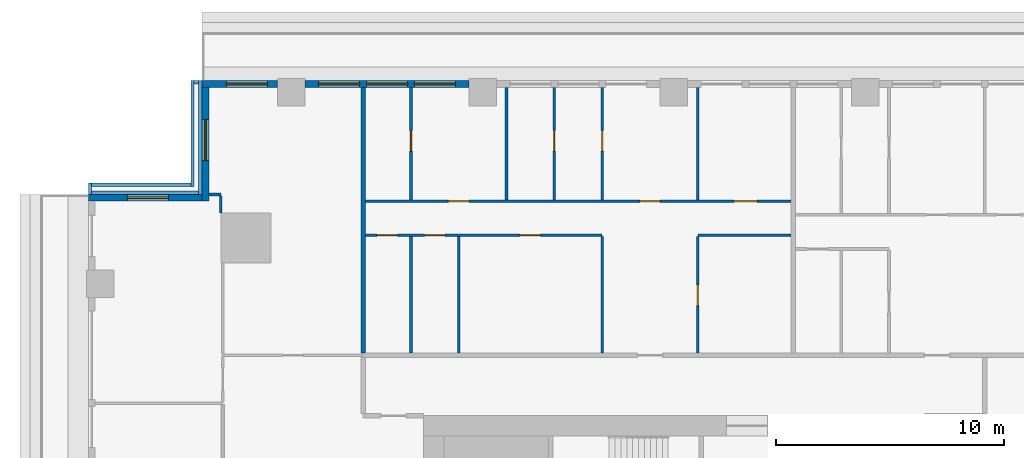
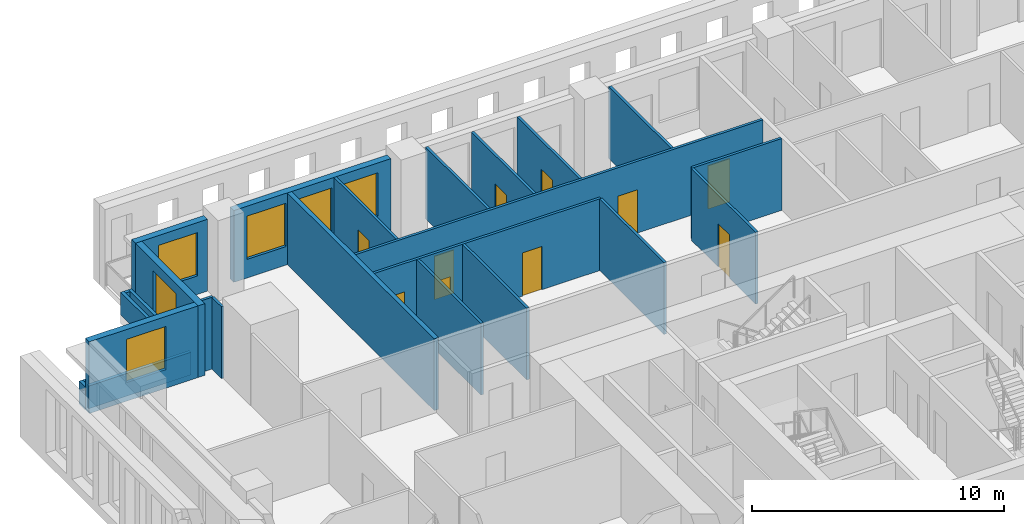
# One storey, part 8 of 16: 25 walls, 10 doors, 6 windows, 16 openings.
"""IFC4 building model written with IfcOpenShell, lengths in metres."""

import ifcopenshell
import ifcopenshell.guid

model = None  # the IFC model being written
_history = None  # IfcOwnerHistory: only IFC2X3 demands one
_inside = {}  # id of a spatial element -> (the spatial element, [elements in it])
_under = {}  # id of a project, library or spatial element -> (it, [spatial elements below it])
_declared = {}  # id of a project -> (the project, [libraries it declares])
_typed = {}  # id of a type object -> (the type object, [elements of that type])
_made_of = {}  # id of a material, layer set ... -> (it, [elements and type objects made of it])


def new_model(schema):
    """Start an empty IFC model of exactly this schema.

    Asked for "IFC4X3", IfcOpenShell would pick the latest addendum, in which some entities
    have other attributes; the version numbers below select the first issue.
    IFC2X3 requires an IfcOwnerHistory on every rooted entity: one is made here for all.
    """
    global model, _history
    if schema == "IFC4X3":
        model = ifcopenshell.file(schema_version=(4, 3, 0, 0))
    else:
        model = ifcopenshell.file(schema=schema)
    _inside.clear()
    _under.clear()
    _declared.clear()
    _typed.clear()
    _made_of.clear()
    _history = None
    if model.schema == "IFC2X3":
        org = make("IfcOrganization", Name="unknown")
        user = make(
            "IfcPersonAndOrganization",
            ThePerson=make("IfcPerson", FamilyName="unknown"),
            TheOrganization=org,
        )
        app = make(
            "IfcApplication",
            ApplicationDeveloper=org,
            Version="unknown",
            ApplicationFullName="unknown",
            ApplicationIdentifier="unknown",
        )
        _history = make(
            "IfcOwnerHistory",
            OwningUser=user,
            OwningApplication=app,
            ChangeAction="ADDED",
            CreationDate=0,
        )
    return model


def make(cls, **values):
    """One entity of the class cls with the attributes given. An attribute that is None is left unset."""
    return model.create_entity(
        cls, **{name: value for name, value in values.items() if value is not None}
    )


def rooted(cls, **values):
    """An entity with a GlobalId (a new one), such as an element, a storey or a relation."""
    return make(cls, GlobalId=ifcopenshell.guid.new(), OwnerHistory=_history, **values)


def si_unit(unit_type, name, prefix=None):
    """IfcSIUnit, for example si_unit("LENGTHUNIT", "METRE", prefix="MILLI")."""
    return make("IfcSIUnit", UnitType=unit_type, Prefix=prefix, Name=name)


def assignment(units):
    """IfcUnitAssignment: the units of a project."""
    return None if units is None else make("IfcUnitAssignment", Units=units)


def point(xyz):
    """IfcCartesianPoint."""
    return None if xyz is None else make("IfcCartesianPoint", Coordinates=xyz)


def direction(xyz):
    """IfcDirection."""
    return None if xyz is None else make("IfcDirection", DirectionRatios=xyz)


def frame(location, z_axis=None, x_axis=None):
    """IfcAxis2Placement3D, a coordinate frame: its origin and axes. An axis left out is left unset."""
    return make(
        "IfcAxis2Placement3D",
        Location=point(location),
        Axis=direction(z_axis),
        RefDirection=direction(x_axis),
    )


def frame_2d(location, x_axis=None):
    """IfcAxis2Placement2D, a coordinate frame in the plane: its origin and x axis."""
    return make(
        "IfcAxis2Placement2D", Location=point(location), RefDirection=direction(x_axis)
    )


def origin():
    """The frame at (0, 0, 0) with its axes left unset."""
    return frame((0.0, 0.0, 0.0))


def place(relative_to, where):
    """IfcLocalPlacement: puts the frame where relative to a parent placement (None: the world)."""
    return make(
        "IfcLocalPlacement", PlacementRelTo=relative_to, RelativePlacement=where
    )


def context(
    kind, dimensions, precision=None, world=None, true_north=None, identifier=None
):
    """IfcGeometricRepresentationContext, for example the 3D "Model" context."""
    return make(
        "IfcGeometricRepresentationContext",
        ContextIdentifier=identifier,
        ContextType=kind,
        CoordinateSpaceDimension=dimensions,
        Precision=precision,
        WorldCoordinateSystem=world,
        TrueNorth=true_north,
    )


def subcontext(parent, identifier, kind, view, scale=None):
    """IfcGeometricRepresentationSubContext, for example "Body" below "Model"."""
    return make(
        "IfcGeometricRepresentationSubContext",
        ContextIdentifier=identifier,
        ContextType=kind,
        ParentContext=parent,
        TargetScale=scale,
        TargetView=view,
    )


def project(units=None, contexts=None):
    """IfcProject with its units and contexts."""
    return rooted(
        "IfcProject",
        Name="project",
        RepresentationContexts=contexts,
        UnitsInContext=assignment(units),
    )


def spatial(cls, under=None, at=None, **own):
    """A site, building, storey or space (cls), placed at a placement, below another one or the project."""
    s = rooted(cls, ObjectPlacement=at, **own)
    if under is not None:
        _under.setdefault(under.id(), (under, []))[1].append(s)
    return s


def profile(cls, at=None, kind="AREA", **sizes):
    """A parametric profile (cls). Its sizes go by their IFC names, for example OverallWidth=200.0."""
    return make(cls, ProfileType=kind, Position=at, **sizes)


def rectangle(**sizes):
    """IfcRectangleProfileDef."""
    return profile("IfcRectangleProfileDef", **sizes)


def extrude(swept, where, along, depth):
    """IfcExtrudedAreaSolid: the profile swept, set in the frame where, extruded along a direction by depth."""
    return make(
        "IfcExtrudedAreaSolid",
        SweptArea=swept,
        Position=where,
        ExtrudedDirection=direction(along),
        Depth=depth,
    )


def shape(context_of_items, identifier, shape_type, items):
    """IfcShapeRepresentation: the items that make up one representation, for example the "Body"."""
    return make(
        "IfcShapeRepresentation",
        ContextOfItems=context_of_items,
        RepresentationIdentifier=identifier,
        RepresentationType=shape_type,
        Items=items,
    )


def material(Name=None, Category=None):
    """IfcMaterial."""
    return make("IfcMaterial", Name=Name, Category=Category)


def layer(
    of_material, thickness, ventilated=None, Name=None, Category=None, Priority=None
):
    """IfcMaterialLayer: one layer of a wall or slab, of a material (None: an air gap)."""
    return make(
        "IfcMaterialLayer",
        Material=of_material,
        LayerThickness=thickness,
        IsVentilated=ventilated,
        Name=Name,
        Category=Category,
        Priority=Priority,
    )


def layer_set(layers, Name=None):
    """IfcMaterialLayerSet."""
    return make("IfcMaterialLayerSet", MaterialLayers=layers, LayerSetName=Name)


def made_of(thing, what):
    """Note that an element or type object is made of a material, layer set ...; save() writes the relation."""
    if what is not None:
        _made_of.setdefault(what.id(), (what, []))[1].append(thing)
    return thing


def type_object(cls, material=None, **own):
    """A type object (cls), such as IfcWallType, which elements share."""
    return made_of(rooted(cls, **own), material)


def element(
    cls,
    number,
    at=None,
    inside=None,
    cuts=None,
    type_object=None,
    material=None,
    context=None,
    identifier="Body",
    shape_type=None,
    held_by="IfcProductDefinitionShape",
    body=None,
    shapes=None,
    **own,
):
    """One element of the class cls, such as IfcWall. Its Tag is "e" and its number.

    at: its placement. inside: the storey or other place that contains it. cuts: it is an
    opening in that element (IfcRelVoidsElement). A single representation is given by context,
    identifier, shape_type and body (its items); several are given by shapes. held_by: the class
    of the entity that holds the representations. save() writes the other relations.
    """
    e = rooted(cls, Tag="e%d" % number, ObjectPlacement=at, **own)
    if body is not None:
        shapes = [shape(context, identifier, shape_type, body)]
    if shapes is not None:
        e.Representation = make(held_by, Representations=shapes)
    if inside is not None:
        _inside.setdefault(inside.id(), (inside, []))[1].append(e)
    if cuts is not None:
        rooted(
            "IfcRelVoidsElement", RelatingBuildingElement=cuts, RelatedOpeningElement=e
        )
    if type_object is not None:
        _typed.setdefault(type_object.id(), (type_object, []))[1].append(e)
    return made_of(e, material)


def fill(opening, filler):
    """IfcRelFillsElement: the door or window that sits in an opening."""
    return rooted(
        "IfcRelFillsElement",
        RelatingOpeningElement=opening,
        RelatedBuildingElement=filler,
    )


def aggregate(whole, parts):
    """IfcRelAggregates: a whole, such as a stair, and the parts it consists of."""
    return rooted("IfcRelAggregates", RelatingObject=whole, RelatedObjects=parts)


def save(model, path):
    """Write the relations noted so far, then the file.

    IfcRelAggregates (storeys below a building ...), IfcRelContainedInSpatialStructure (elements
    in a storey), IfcRelDefinesByType, IfcRelAssociatesMaterial and IfcRelDeclares: one each for
    every whole, place, type object, material and project.
    """
    for whole, parts in _under.values():
        aggregate(whole, parts)
    for where, things in _inside.values():
        rooted(
            "IfcRelContainedInSpatialStructure",
            RelatedElements=things,
            RelatingStructure=where,
        )
    for kind, things in _typed.values():
        rooted("IfcRelDefinesByType", RelatedObjects=things, RelatingType=kind)
    for what, things in _made_of.values():
        rooted("IfcRelAssociatesMaterial", RelatedObjects=things, RelatingMaterial=what)
    for by, libraries in _declared.values():
        rooted("IfcRelDeclares", RelatingContext=by, RelatedDefinitions=libraries)
    model.write(path)


model = new_model("IFC4")

# Units and contexts
model_context = context("Model", 3, precision=1e-05, world=origin(), true_north=direction((0.0, 1.0)))
body_context = subcontext(model_context, "Body", "Model", "MODEL_VIEW")
ifc_project = project(units=[si_unit("LENGTHUNIT", "METRE"), si_unit("AREAUNIT", "SQUARE_METRE"), si_unit("VOLUMEUNIT", "CUBIC_METRE"), si_unit("PLANEANGLEUNIT", "RADIAN"), si_unit("MASSUNIT", "GRAM", prefix="KILO")], contexts=[model_context])

# Site, building, storey
site_placement = place(None, origin())
site = spatial("IfcSite", under=ifc_project, at=site_placement, CompositionType="ELEMENT")
building_placement = place(site_placement, origin())
building = spatial("IfcBuilding", under=site, at=building_placement, Name="Khepri Terraces", CompositionType="ELEMENT")
storey_placement = place(building_placement, frame((0.0, 0.0, 240.60009765625)))
storey = spatial("IfcBuildingStorey", under=building, at=storey_placement, Name="L57", CompositionType="ELEMENT", Elevation=240.60009765625)

# Wall
ifc_material_1 = material(Name="Fire-rated gypsum plasterboard partition, mineral wool")
ifc_layer_1 = layer(ifc_material_1, 0.199951171875, Name="Fire-rated gypsum plasterboard partition, mineral wool")
ifc_layer_set_1 = layer_set([ifc_layer_1], Name="Fire-rated gypsum plasterboard partition, mineral wool")
wall_type_1 = type_object("IfcWallType", Name="WL-CORR-200", PredefinedType="PARTITIONING", material=ifc_layer_set_1)
wall_1_placement = place(storey_placement, frame((-13.64990234375, 13.75, 0.0), z_axis=(0.0, 0.0, 1.0), x_axis=(0.0, 1.0, 0.0)))
element("IfcWall", 1, at=wall_1_placement, inside=storey, type_object=wall_type_1, Name="Partition P-085 L57", PredefinedType="PARTITIONING", context=body_context, shape_type="SweptSolid", body=[
    extrude(rectangle(XDim=11.669921875, YDim=0.199951171875, at=frame_2d((5.8349609375, 0.0))), origin(), (0.0, 0.0, 1.0), 3.47998046875),
])

# Wall, openings, windows
ifc_material_2 = material(Name="Precast concrete C50/60 warm stone", Category="masonry")
ifc_layer_2 = layer(ifc_material_2, 0.300048828125, Name="Precast concrete C50/60 warm stone", Category="masonry")
ifc_layer_set_2 = layer_set([ifc_layer_2], Name="Precast concrete C50/60 warm stone")
wall_type_2 = type_object("IfcWallType", Name="WL-EXT-PRECAST-300", PredefinedType="STANDARD", material=ifc_layer_set_2)
wall_2_placement = place(storey_placement, frame((-9.0, 25.570068359375, 0.0), z_axis=(0.0, 0.0, 1.0), x_axis=(-1.0, 0.0, 0.0)))
wall_2 = element("IfcWall", 2, at=wall_2_placement, inside=storey, type_object=wall_type_2, Name="External wall L57 N", PredefinedType="STANDARD", context=body_context, shape_type="SweptSolid", body=[
    extrude(rectangle(XDim=7.199951171875, YDim=0.300048828125, at=frame_2d((3.60009765625, 0.0))), origin(), (0.0, 0.0, 1.0), 3.47998046875),
])
opening_1_placement = place(wall_2_placement, frame((0.60009765625, 0.0, 0.89990234375)))
opening_1 = element("IfcOpeningElement", 3, at=opening_1_placement, cuts=wall_2, Name="Opening W1", PredefinedType="OPENING", context=body_context, shape_type="SweptSolid", body=[
    extrude(rectangle(XDim=1.800048828125, YDim=2.10009765625, at=frame_2d((0.89990234375, 1.050048828125))), frame((0.0, 0.16015625, 0.0), z_axis=(0.0, -1.0, 0.0), x_axis=(1.0, 0.0, 0.0)), (0.0, 0.0, 1.0), 0.320068359375),
])
opening_2_placement = place(wall_2_placement, frame((2.699951171875, 0.0, 0.89990234375)))
opening_2 = element("IfcOpeningElement", 4, at=opening_2_placement, cuts=wall_2, Name="Opening W1", PredefinedType="OPENING", context=body_context, shape_type="SweptSolid", body=[
    extrude(rectangle(XDim=1.800048828125, YDim=2.10009765625, at=frame_2d((0.89990234375, 1.050048828125))), frame((0.0, 0.16015625, 0.0), z_axis=(0.0, -1.0, 0.0), x_axis=(1.0, 0.0, 0.0)), (0.0, 0.0, 1.0), 0.320068359375),
])
opening_3_placement = place(wall_2_placement, frame((4.800048828125, 0.0, 0.89990234375)))
opening_3 = element("IfcOpeningElement", 5, at=opening_3_placement, cuts=wall_2, Name="Opening W1", PredefinedType="OPENING", context=body_context, shape_type="SweptSolid", body=[
    extrude(rectangle(XDim=1.800048828125, YDim=2.10009765625, at=frame_2d((0.89990234375, 1.050048828125))), frame((0.0, 0.16015625, 0.0), z_axis=(0.0, -1.0, 0.0), x_axis=(1.0, 0.0, 0.0)), (0.0, 0.0, 1.0), 0.320068359375),
])
ifc_material_3 = material(Name="Clear glass", Category="glass")
window_type = type_object("IfcWindowType", Name="WIN-RES-1800x2100", PartitioningType="SINGLE_PANEL", PredefinedType="WINDOW", material=ifc_material_3)
window_1_placement = place(opening_1_placement, origin())
window_1 = element("IfcWindow", 6, at=window_1_placement, inside=storey, type_object=window_type, Name="Window L57 N", OverallHeight=2.10009765625, OverallWidth=1.800048828125, PartitioningType="SINGLE_PANEL", PredefinedType="WINDOW", context=body_context, shape_type="SweptSolid", body=[
    extrude(rectangle(XDim=1.800048828125, YDim=2.10009765625, at=frame_2d((0.89990234375, 1.050048828125))), frame((0.0, 0.030029296875, 0.0), z_axis=(0.0, -1.0, 0.0), x_axis=(1.0, 0.0, 0.0)), (0.0, 0.0, 1.0), 0.06005859375),
])
fill(opening_1, window_1)
window_2_placement = place(opening_2_placement, origin())
window_2 = element("IfcWindow", 7, at=window_2_placement, inside=storey, type_object=window_type, Name="Window L57 N", OverallHeight=2.10009765625, OverallWidth=1.800048828125, PartitioningType="SINGLE_PANEL", PredefinedType="WINDOW", context=body_context, shape_type="SweptSolid", body=[
    extrude(rectangle(XDim=1.800048828125, YDim=2.10009765625, at=frame_2d((0.89990234375, 1.050048828125))), frame((0.0, 0.030029296875, 0.0), z_axis=(0.0, -1.0, 0.0), x_axis=(1.0, 0.0, 0.0)), (0.0, 0.0, 1.0), 0.06005859375),
])
fill(opening_2, window_2)
window_3_placement = place(opening_3_placement, origin())
window_3 = element("IfcWindow", 8, at=window_3_placement, inside=storey, type_object=window_type, Name="Window L57 N", OverallHeight=2.10009765625, OverallWidth=1.800048828125, PartitioningType="SINGLE_PANEL", PredefinedType="WINDOW", context=body_context, shape_type="SweptSolid", body=[
    extrude(rectangle(XDim=1.800048828125, YDim=2.10009765625, at=frame_2d((0.89990234375, 1.050048828125))), frame((0.0, 0.030029296875, 0.0), z_axis=(0.0, -1.0, 0.0), x_axis=(1.0, 0.0, 0.0)), (0.0, 0.0, 1.0), 0.06005859375),
])
fill(opening_3, window_3)

# Wall, opening, window
wall_3_placement = place(storey_placement, frame((-17.39990234375, 25.570068359375, 0.0), z_axis=(0.0, 0.0, 1.0), x_axis=(-1.0, 0.0, 0.0)))
wall_3 = element("IfcWall", 9, at=wall_3_placement, inside=storey, type_object=wall_type_2, Name="External wall L57 N", PredefinedType="STANDARD", context=body_context, shape_type="SweptSolid", body=[
    extrude(rectangle(XDim=3.320068359375, YDim=0.300048828125, at=frame_2d((1.66015625, 0.0))), origin(), (0.0, 0.0, 1.0), 3.47998046875),
])
opening_4_placement = place(wall_3_placement, frame((0.45947265625, 0.0, 0.89990234375)))
opening_4 = element("IfcOpeningElement", 10, at=opening_4_placement, cuts=wall_3, Name="Opening W1", PredefinedType="OPENING", context=body_context, shape_type="SweptSolid", body=[
    extrude(rectangle(XDim=1.800048828125, YDim=2.10009765625, at=frame_2d((0.89990234375, 1.050048828125))), frame((0.0, 0.16015625, 0.0), z_axis=(0.0, -1.0, 0.0), x_axis=(1.0, 0.0, 0.0)), (0.0, 0.0, 1.0), 0.320068359375),
])
window_4_placement = place(opening_4_placement, origin())
window_4 = element("IfcWindow", 11, at=window_4_placement, inside=storey, type_object=window_type, Name="Window L57 N", OverallHeight=2.10009765625, OverallWidth=1.800048828125, PartitioningType="SINGLE_PANEL", PredefinedType="WINDOW", context=body_context, shape_type="SweptSolid", body=[
    extrude(rectangle(XDim=1.800048828125, YDim=2.10009765625, at=frame_2d((0.89990234375, 1.050048828125))), frame((0.0, 0.030029296875, 0.0), z_axis=(0.0, -1.0, 0.0), x_axis=(1.0, 0.0, 0.0)), (0.0, 0.0, 1.0), 0.06005859375),
])
fill(opening_4, window_4)

wall_4_placement = place(storey_placement, frame((-20.570068359375, 25.419921875, 0.0), z_axis=(0.0, 0.0, 1.0), x_axis=(0.0, -1.0, 0.0)))
wall_4 = element("IfcWall", 12, at=wall_4_placement, inside=storey, type_object=wall_type_2, Name="External wall L57 W", PredefinedType="STANDARD", context=body_context, shape_type="SweptSolid", body=[
    extrude(rectangle(XDim=5.0, YDim=0.300048828125, at=frame_2d((2.5, 0.0))), origin(), (0.0, 0.0, 1.0), 3.47998046875),
])
opening_5_placement = place(wall_4_placement, frame((1.419921875, 0.0, 0.89990234375)))
opening_5 = element("IfcOpeningElement", 13, at=opening_5_placement, cuts=wall_4, Name="Opening W1", PredefinedType="OPENING", context=body_context, shape_type="SweptSolid", body=[
    extrude(rectangle(XDim=1.800048828125, YDim=2.10009765625, at=frame_2d((0.89990234375, 1.050048828125))), frame((0.0, 0.16015625, 0.0), z_axis=(0.0, -1.0, 0.0), x_axis=(1.0, 0.0, 0.0)), (0.0, 0.0, 1.0), 0.320068359375),
])
window_5_placement = place(opening_5_placement, origin())
window_5 = element("IfcWindow", 14, at=window_5_placement, inside=storey, type_object=window_type, Name="Window L57 W", OverallHeight=2.10009765625, OverallWidth=1.800048828125, PartitioningType="SINGLE_PANEL", PredefinedType="WINDOW", context=body_context, shape_type="SweptSolid", body=[
    extrude(rectangle(XDim=1.800048828125, YDim=2.10009765625, at=frame_2d((0.89990234375, 1.050048828125))), frame((0.0, 0.030029296875, 0.0), z_axis=(0.0, -1.0, 0.0), x_axis=(1.0, 0.0, 0.0)), (0.0, 0.0, 1.0), 0.06005859375),
])
fill(opening_5, window_5)

wall_5_placement = place(storey_placement, frame((-20.719970703125, 20.570068359375, 0.0), z_axis=(0.0, 0.0, 1.0), x_axis=(-1.0, 0.0, 0.0)))
wall_5 = element("IfcWall", 15, at=wall_5_placement, inside=storey, type_object=wall_type_2, Name="External wall L57 N", PredefinedType="STANDARD", context=body_context, shape_type="SweptSolid", body=[
    extrude(rectangle(XDim=5.0, YDim=0.300048828125, at=frame_2d((2.5, 0.0))), origin(), (0.0, 0.0, 1.0), 3.47998046875),
])
opening_6_placement = place(wall_5_placement, frame((1.47998046875, 0.0, 0.89990234375)))
opening_6 = element("IfcOpeningElement", 16, at=opening_6_placement, cuts=wall_5, Name="Opening W1", PredefinedType="OPENING", context=body_context, shape_type="SweptSolid", body=[
    extrude(rectangle(XDim=1.800048828125, YDim=2.10009765625, at=frame_2d((0.89990234375, 1.050048828125))), frame((0.0, 0.16015625, 0.0), z_axis=(0.0, -1.0, 0.0), x_axis=(1.0, 0.0, 0.0)), (0.0, 0.0, 1.0), 0.320068359375),
])
window_6_placement = place(opening_6_placement, origin())
window_6 = element("IfcWindow", 17, at=window_6_placement, inside=storey, type_object=window_type, Name="Window L57 N", OverallHeight=2.10009765625, OverallWidth=1.800048828125, PartitioningType="SINGLE_PANEL", PredefinedType="WINDOW", context=body_context, shape_type="SweptSolid", body=[
    extrude(rectangle(XDim=1.800048828125, YDim=2.10009765625, at=frame_2d((0.89990234375, 1.050048828125))), frame((0.0, 0.030029296875, 0.0), z_axis=(0.0, -1.0, 0.0), x_axis=(1.0, 0.0, 0.0)), (0.0, 0.0, 1.0), 0.06005859375),
])
fill(opening_6, window_6)

# Walls
ifc_layer_3 = layer(ifc_material_2, 0.14990234375, Name="Precast concrete C50/60 warm stone", Category="masonry")
ifc_layer_set_3 = layer_set([ifc_layer_3], Name="Precast concrete C50/60 warm stone")
wall_type_3 = type_object("IfcWallType", Name="WL-PARAPET-150", PredefinedType="PARAPET", material=ifc_layer_set_3)
wall_6_placement = place(storey_placement, frame((-25.64501953125, 20.719970703125, 0.0), z_axis=(0.0, 0.0, 1.0), x_axis=(0.0, 1.0, 0.0)))
element("IfcWall", 18, at=wall_6_placement, inside=storey, type_object=wall_type_3, Name="Ledge parapet L57", PredefinedType="PARAPET", context=body_context, shape_type="SweptSolid", body=[
    extrude(rectangle(XDim=0.5, YDim=0.14990234375, at=frame_2d((0.25, 0.0))), origin(), (0.0, 0.0, 1.0), 1.099853515625),
])
wall_7_placement = place(storey_placement, frame((-25.570068359375, 21.14501953125, 0.0), z_axis=(0.0, 0.0, 1.0), x_axis=(1.0, 0.0, 0.0)))
element("IfcWall", 19, at=wall_7_placement, inside=storey, type_object=wall_type_3, Name="Ledge parapet L57", PredefinedType="PARAPET", context=body_context, shape_type="SweptSolid", body=[
    extrude(rectangle(XDim=4.35009765625, YDim=0.14990234375, at=frame_2d((2.175048828125, 0.0))), origin(), (0.0, 0.0, 1.0), 1.099853515625),
])
wall_8_placement = place(storey_placement, frame((-25.570068359375, 20.794921875, 0.0), z_axis=(0.0, 0.0, 1.0), x_axis=(1.0, 0.0, 0.0)))
element("IfcWall", 20, at=wall_8_placement, inside=storey, type_object=wall_type_3, Name="Ledge parapet L57", PredefinedType="PARAPET", context=body_context, shape_type="SweptSolid", body=[
    extrude(rectangle(XDim=4.699951171875, YDim=0.14990234375, at=frame_2d((2.35009765625, 0.0))), origin(), (0.0, 0.0, 1.0), 1.099853515625),
])
wall_9_placement = place(storey_placement, frame((-21.14501953125, 21.070068359375, 0.0), z_axis=(0.0, 0.0, 1.0), x_axis=(0.0, 1.0, 0.0)))
element("IfcWall", 21, at=wall_9_placement, inside=storey, type_object=wall_type_3, Name="Ledge parapet L57", PredefinedType="PARAPET", context=body_context, shape_type="SweptSolid", body=[
    extrude(rectangle(XDim=4.64990234375, YDim=0.14990234375, at=frame_2d((2.324951171875, 0.0))), origin(), (0.0, 0.0, 1.0), 1.099853515625),
])
wall_10_placement = place(storey_placement, frame((-21.070068359375, 25.64501953125, 0.0), z_axis=(0.0, 0.0, 1.0), x_axis=(1.0, 0.0, 0.0)))
element("IfcWall", 22, at=wall_10_placement, inside=storey, type_object=wall_type_3, Name="Ledge parapet L57", PredefinedType="PARAPET", context=body_context, shape_type="SweptSolid", body=[
    extrude(rectangle(XDim=0.199951171875, YDim=0.14990234375, at=frame_2d((0.10009765625, 0.0))), origin(), (0.0, 0.0, 1.0), 1.099853515625),
])
wall_11_placement = place(storey_placement, frame((-20.794921875, 20.719970703125, 0.0), z_axis=(0.0, 0.0, 1.0), x_axis=(0.0, 1.0, 0.0)))
element("IfcWall", 23, at=wall_11_placement, inside=storey, type_object=wall_type_3, Name="Ledge parapet L57", PredefinedType="PARAPET", context=body_context, shape_type="SweptSolid", body=[
    extrude(rectangle(XDim=5.0, YDim=0.14990234375, at=frame_2d((2.5, 0.0))), origin(), (0.0, 0.0, 1.0), 1.099853515625),
])
ifc_material_4 = material(Name="Gypsum plasterboard partition")
ifc_layer_4 = layer(ifc_material_4, 0.1201171875, Name="Gypsum plasterboard partition")
ifc_layer_set_4 = layer_set([ifc_layer_4], Name="Gypsum plasterboard partition")
wall_type_4 = type_object("IfcWallType", Name="WL-PART-120", PredefinedType="PARTITIONING", material=ifc_layer_set_4)
for number, where, z_axis, x_axis, name in (
    (24, (-11.550048828125, 13.75, 0.0), (0.0, 0.0, 1.0), (0.0, 1.0, 0.0), "Partition P-086 L57"),
    (25, (-9.449951171875, 13.75, 0.0), (0.0, 0.0, 1.0), (0.0, 1.0, 0.0), "Partition P-087 L57"),
    (26, (-3.14990234375, 13.75, 0.0), (0.0, 0.0, 1.0), (0.0, 1.0, 0.0), "Partition P-088 L57"),
):
    element("IfcWall", number, at=place(storey_placement, frame(where, z_axis=z_axis, x_axis=x_axis)), inside=storey, type_object=wall_type_4, Name=name, PredefinedType="PARTITIONING", context=body_context, shape_type="SweptSolid", body=[
        extrude(rectangle(XDim=5.110107421875, YDim=0.1201171875, at=frame_2d((2.55517578125, 0.0))), origin(), (0.0, 0.0, 1.0), 3.47998046875),
    ])

# Wall, opening, door
wall_12_placement = place(storey_placement, frame((1.050048828125, 13.75, 0.0), z_axis=(0.0, 0.0, 1.0), x_axis=(0.0, 1.0, 0.0)))
wall_12 = element("IfcWall", 27, at=wall_12_placement, inside=storey, type_object=wall_type_4, Name="Partition P-089 L57", PredefinedType="PARTITIONING", context=body_context, shape_type="SweptSolid", body=[
    extrude(rectangle(XDim=5.110107421875, YDim=0.1201171875, at=frame_2d((2.55517578125, 0.0))), origin(), (0.0, 0.0, 1.0), 3.47998046875),
])
opening_7_placement = place(wall_12_placement, frame((2.0849609375, 0.0, 0.0)))
opening_7 = element("IfcOpeningElement", 28, at=opening_7_placement, cuts=wall_12, Name="Opening D4", PredefinedType="OPENING", context=body_context, shape_type="SweptSolid", body=[
    extrude(rectangle(XDim=0.89990234375, YDim=2.10009765625, at=frame_2d((0.449951171875, 1.050048828125))), frame((0.0, 0.070068359375, 0.0), z_axis=(0.0, -1.0, 0.0), x_axis=(1.0, 0.0, 0.0)), (0.0, 0.0, 1.0), 0.14013671875),
])
ifc_material_5 = material(Name="Timber door leaf, moisture resistant", Category="wood")
door_type_1 = type_object("IfcDoorType", Name="DR-WET-900", OperationType="NOTDEFINED", PredefinedType="DOOR", material=ifc_material_5)
door_1_placement = place(opening_7_placement, frame((0.89990234375, 0.0, 0.0), z_axis=(0.0, 0.0, 1.0), x_axis=(-1.0, 0.0, 0.0)))
door_1 = element("IfcDoor", 29, at=door_1_placement, inside=storey, type_object=door_type_1, Name="Door Guest Bathroom", OperationType="SINGLE_SWING_RIGHT", OverallHeight=2.10009765625, OverallWidth=0.89990234375, PredefinedType="DOOR", context=body_context, shape_type="SweptSolid", body=[
    extrude(rectangle(XDim=0.89990234375, YDim=2.10009765625, at=frame_2d((0.449951171875, 1.050048828125))), frame((0.0, 0.02490234375, 0.0), z_axis=(0.0, -1.0, 0.0), x_axis=(1.0, 0.0, 0.0)), (0.0, 0.0, 1.0), 0.050048828125),
])
fill(opening_7, door_1)

# Wall, openings, doors
wall_13_placement = place(storey_placement, frame((-13.550048828125, 18.919921875, 0.0), z_axis=(0.0, 0.0, 1.0), x_axis=(1.0, 0.0, 0.0)))
wall_13 = element("IfcWall", 30, at=wall_13_placement, inside=storey, type_object=wall_type_4, Name="Partition P-095 L57", PredefinedType="PARTITIONING", context=body_context, shape_type="SweptSolid", body=[
    extrude(rectangle(XDim=10.400146484375, YDim=0.1201171875, at=frame_2d((5.2001953125, 0.0))), origin(), (0.0, 0.0, 1.0), 3.47998046875),
])
opening_8_placement = place(wall_13_placement, frame((6.800048828125, 0.0, 0.0)))
opening_8 = element("IfcOpeningElement", 31, at=opening_8_placement, cuts=wall_13, Name="Opening D3", PredefinedType="OPENING", context=body_context, shape_type="SweptSolid", body=[
    extrude(rectangle(XDim=0.89990234375, YDim=2.10009765625, at=frame_2d((0.449951171875, 1.050048828125))), frame((0.0, 0.070068359375, 0.0), z_axis=(0.0, -1.0, 0.0), x_axis=(1.0, 0.0, 0.0)), (0.0, 0.0, 1.0), 0.14013671875),
])
opening_9_placement = place(wall_13_placement, frame((2.60009765625, 0.0, 0.0)))
opening_9 = element("IfcOpeningElement", 32, at=opening_9_placement, cuts=wall_13, Name="Opening D4", PredefinedType="OPENING", context=body_context, shape_type="SweptSolid", body=[
    extrude(rectangle(XDim=0.89990234375, YDim=2.10009765625, at=frame_2d((0.449951171875, 1.050048828125))), frame((0.0, 0.070068359375, 0.0), z_axis=(0.0, -1.0, 0.0), x_axis=(1.0, 0.0, 0.0)), (0.0, 0.0, 1.0), 0.14013671875),
])
opening_10_placement = place(wall_13_placement, frame((0.5, 0.0, 0.0)))
opening_10 = element("IfcOpeningElement", 33, at=opening_10_placement, cuts=wall_13, Name="Opening D3", PredefinedType="OPENING", context=body_context, shape_type="SweptSolid", body=[
    extrude(rectangle(XDim=0.89990234375, YDim=2.10009765625, at=frame_2d((0.449951171875, 1.050048828125))), frame((0.0, 0.070068359375, 0.0), z_axis=(0.0, -1.0, 0.0), x_axis=(1.0, 0.0, 0.0)), (0.0, 0.0, 1.0), 0.14013671875),
])
ifc_material_6 = material(Name="Timber door leaf", Category="wood")
door_type_2 = type_object("IfcDoorType", Name="DR-INT-900", OperationType="NOTDEFINED", PredefinedType="DOOR", material=ifc_material_6)
door_2_placement = place(opening_8_placement, frame((0.89990234375, 0.0, 0.0), z_axis=(0.0, 0.0, 1.0), x_axis=(-1.0, 0.0, 0.0)))
door_2 = element("IfcDoor", 34, at=door_2_placement, inside=storey, type_object=door_type_2, Name="Door Kitchen", OperationType="SINGLE_SWING_LEFT", OverallHeight=2.10009765625, OverallWidth=0.89990234375, PredefinedType="DOOR", context=body_context, shape_type="SweptSolid", body=[
    extrude(rectangle(XDim=0.89990234375, YDim=2.10009765625, at=frame_2d((0.449951171875, 1.050048828125))), frame((0.0, 0.02490234375, 0.0), z_axis=(0.0, -1.0, 0.0), x_axis=(1.0, 0.0, 0.0)), (0.0, 0.0, 1.0), 0.050048828125),
])
fill(opening_8, door_2)
door_3_placement = place(opening_10_placement, frame((0.89990234375, 0.0, 0.0), z_axis=(0.0, 0.0, 1.0), x_axis=(-1.0, 0.0, 0.0)))
door_3 = element("IfcDoor", 35, at=door_3_placement, inside=storey, type_object=door_type_2, Name="Door Utility Room", OperationType="SINGLE_SWING_RIGHT", OverallHeight=2.10009765625, OverallWidth=0.89990234375, PredefinedType="DOOR", context=body_context, shape_type="SweptSolid", body=[
    extrude(rectangle(XDim=0.89990234375, YDim=2.10009765625, at=frame_2d((0.449951171875, 1.050048828125))), frame((0.0, 0.02490234375, 0.0), z_axis=(0.0, -1.0, 0.0), x_axis=(1.0, 0.0, 0.0)), (0.0, 0.0, 1.0), 0.050048828125),
])
fill(opening_10, door_3)
door_4_placement = place(opening_9_placement, frame((0.89990234375, 0.0, 0.0), z_axis=(0.0, 0.0, 1.0), x_axis=(-1.0, 0.0, 0.0)))
door_4 = element("IfcDoor", 36, at=door_4_placement, inside=storey, type_object=door_type_1, Name="Door Powder Room", OperationType="SINGLE_SWING_RIGHT", OverallHeight=2.10009765625, OverallWidth=0.89990234375, PredefinedType="DOOR", context=body_context, shape_type="SweptSolid", body=[
    extrude(rectangle(XDim=0.89990234375, YDim=2.10009765625, at=frame_2d((0.449951171875, 1.050048828125))), frame((0.0, 0.02490234375, 0.0), z_axis=(0.0, -1.0, 0.0), x_axis=(1.0, 0.0, 0.0)), (0.0, 0.0, 1.0), 0.050048828125),
])
fill(opening_9, door_4)

# Walls
wall_14_placement = place(storey_placement, frame((1.050048828125, 18.919921875, 0.0), z_axis=(0.0, 0.0, 1.0), x_axis=(1.0, 0.0, 0.0)))
element("IfcWall", 37, at=wall_14_placement, inside=storey, type_object=wall_type_4, Name="Partition P-096 L57", PredefinedType="PARTITIONING", context=body_context, shape_type="SweptSolid", body=[
    extrude(rectangle(XDim=4.099853515625, YDim=0.1201171875, at=frame_2d((2.0498046875, 0.0))), origin(), (0.0, 0.0, 1.0), 3.47998046875),
])
wall_15_placement = place(storey_placement, frame((-19.90087890625, 19.89990234375, 0.0), z_axis=(0.0, 0.0, 1.0), x_axis=(0.0, 1.0, 0.0)))
element("IfcWall", 38, at=wall_15_placement, inside=storey, type_object=wall_type_4, Name="Partition P-101 L57", PredefinedType="PARTITIONING", context=body_context, shape_type="SweptSolid", body=[
    extrude(rectangle(XDim=0.759033203125, YDim=0.1201171875, at=frame_2d((0.37939453125, 0.0))), origin(), (0.0, 0.0, 1.0), 3.47998046875),
])

# Wall, openings, doors
wall_16_placement = place(storey_placement, frame((-13.550048828125, 20.419921875, 0.0), z_axis=(0.0, 0.0, 1.0), x_axis=(1.0, 0.0, 0.0)))
wall_16 = element("IfcWall", 39, at=wall_16_placement, inside=storey, type_object=wall_type_4, Name="Partition P-104 L57", PredefinedType="PARTITIONING", context=body_context, shape_type="SweptSolid", body=[
    extrude(rectangle(XDim=18.699951171875, YDim=0.1201171875, at=frame_2d((9.35009765625, 0.0))), origin(), (0.0, 0.0, 1.0), 3.47998046875),
])
opening_11_placement = place(wall_16_placement, frame((16.199951171875, 0.0, 0.0)))
opening_11 = element("IfcOpeningElement", 40, at=opening_11_placement, cuts=wall_16, Name="Opening D2", PredefinedType="OPENING", context=body_context, shape_type="SweptSolid", body=[
    extrude(rectangle(XDim=1.0, YDim=2.10009765625, at=frame_2d((0.5, 1.050048828125))), frame((0.0, 0.070068359375, 0.0), z_axis=(0.0, -1.0, 0.0), x_axis=(1.0, 0.0, 0.0)), (0.0, 0.0, 1.0), 0.14013671875),
])
opening_12_placement = place(wall_16_placement, frame((12.050048828125, 0.0, 0.0)))
opening_12 = element("IfcOpeningElement", 41, at=opening_12_placement, cuts=wall_16, Name="Opening D3", PredefinedType="OPENING", context=body_context, shape_type="SweptSolid", body=[
    extrude(rectangle(XDim=0.89990234375, YDim=2.10009765625, at=frame_2d((0.449951171875, 1.050048828125))), frame((0.0, 0.070068359375, 0.0), z_axis=(0.0, -1.0, 0.0), x_axis=(1.0, 0.0, 0.0)), (0.0, 0.0, 1.0), 0.14013671875),
])
opening_13_placement = place(wall_16_placement, frame((3.64990234375, 0.0, 0.0)))
opening_13 = element("IfcOpeningElement", 42, at=opening_13_placement, cuts=wall_16, Name="Opening D3", PredefinedType="OPENING", context=body_context, shape_type="SweptSolid", body=[
    extrude(rectangle(XDim=0.89990234375, YDim=2.10009765625, at=frame_2d((0.449951171875, 1.050048828125))), frame((0.0, 0.070068359375, 0.0), z_axis=(0.0, -1.0, 0.0), x_axis=(1.0, 0.0, 0.0)), (0.0, 0.0, 1.0), 0.14013671875),
])
ifc_material_7 = material(Name="Timber door leaf, living room door", Category="wood")
door_type_3 = type_object("IfcDoorType", Name="DR-INT-1000", OperationType="NOTDEFINED", PredefinedType="DOOR", material=ifc_material_7)
door_5_placement = place(opening_11_placement, origin())
door_5 = element("IfcDoor", 43, at=door_5_placement, inside=storey, type_object=door_type_3, Name="Door Living Room", OperationType="SINGLE_SWING_RIGHT", OverallHeight=2.10009765625, OverallWidth=1.0, PredefinedType="DOOR", context=body_context, shape_type="SweptSolid", body=[
    extrude(rectangle(XDim=1.0, YDim=2.10009765625, at=frame_2d((0.5, 1.050048828125))), frame((0.0, 0.02490234375, 0.0), z_axis=(0.0, -1.0, 0.0), x_axis=(1.0, 0.0, 0.0)), (0.0, 0.0, 1.0), 0.050048828125),
])
fill(opening_11, door_5)
door_6_placement = place(opening_12_placement, origin())
door_6 = element("IfcDoor", 44, at=door_6_placement, inside=storey, type_object=door_type_2, Name="Door Master Bedroom", OperationType="SINGLE_SWING_RIGHT", OverallHeight=2.10009765625, OverallWidth=0.89990234375, PredefinedType="DOOR", context=body_context, shape_type="SweptSolid", body=[
    extrude(rectangle(XDim=0.89990234375, YDim=2.10009765625, at=frame_2d((0.449951171875, 1.050048828125))), frame((0.0, 0.02490234375, 0.0), z_axis=(0.0, -1.0, 0.0), x_axis=(1.0, 0.0, 0.0)), (0.0, 0.0, 1.0), 0.050048828125),
])
fill(opening_12, door_6)
door_7_placement = place(opening_13_placement, origin())
door_7 = element("IfcDoor", 45, at=door_7_placement, inside=storey, type_object=door_type_2, Name="Door Bedroom", OperationType="SINGLE_SWING_LEFT", OverallHeight=2.10009765625, OverallWidth=0.89990234375, PredefinedType="DOOR", context=body_context, shape_type="SweptSolid", body=[
    extrude(rectangle(XDim=0.89990234375, YDim=2.10009765625, at=frame_2d((0.449951171875, 1.050048828125))), frame((0.0, 0.02490234375, 0.0), z_axis=(0.0, -1.0, 0.0), x_axis=(1.0, 0.0, 0.0)), (0.0, 0.0, 1.0), 0.050048828125),
])
fill(opening_13, door_7)

# Wall, opening, door
wall_17_placement = place(storey_placement, frame((-11.550048828125, 20.47998046875, 0.0), z_axis=(0.0, 0.0, 1.0), x_axis=(0.0, 1.0, 0.0)))
wall_17 = element("IfcWall", 46, at=wall_17_placement, inside=storey, type_object=wall_type_4, Name="Partition P-105 L57", PredefinedType="PARTITIONING", context=body_context, shape_type="SweptSolid", body=[
    extrude(rectangle(XDim=4.93994140625, YDim=0.1201171875, at=frame_2d((2.469970703125, 0.0))), origin(), (0.0, 0.0, 1.0), 3.47998046875),
])
opening_14_placement = place(wall_17_placement, frame((2.139892578125, 0.0, 0.0)))
opening_14 = element("IfcOpeningElement", 47, at=opening_14_placement, cuts=wall_17, Name="Opening D4", PredefinedType="OPENING", context=body_context, shape_type="SweptSolid", body=[
    extrude(rectangle(XDim=0.89990234375, YDim=2.10009765625, at=frame_2d((0.449951171875, 1.050048828125))), frame((0.0, 0.070068359375, 0.0), z_axis=(0.0, -1.0, 0.0), x_axis=(1.0, 0.0, 0.0)), (0.0, 0.0, 1.0), 0.14013671875),
])
door_8_placement = place(opening_14_placement, origin())
door_8 = element("IfcDoor", 48, at=door_8_placement, inside=storey, type_object=door_type_1, Name="Door Bathroom", OperationType="SINGLE_SWING_RIGHT", OverallHeight=2.10009765625, OverallWidth=0.89990234375, PredefinedType="DOOR", context=body_context, shape_type="SweptSolid", body=[
    extrude(rectangle(XDim=0.89990234375, YDim=2.10009765625, at=frame_2d((0.449951171875, 1.050048828125))), frame((0.0, 0.02490234375, 0.0), z_axis=(0.0, -1.0, 0.0), x_axis=(1.0, 0.0, 0.0)), (0.0, 0.0, 1.0), 0.050048828125),
])
fill(opening_14, door_8)

# Wall
wall_18_placement = place(storey_placement, frame((-7.35009765625, 20.47998046875, 0.0), z_axis=(0.0, 0.0, 1.0), x_axis=(0.0, 1.0, 0.0)))
element("IfcWall", 49, at=wall_18_placement, inside=storey, type_object=wall_type_4, Name="Partition P-106 L57", PredefinedType="PARTITIONING", context=body_context, shape_type="SweptSolid", body=[
    extrude(rectangle(XDim=4.93994140625, YDim=0.1201171875, at=frame_2d((2.469970703125, 0.0))), origin(), (0.0, 0.0, 1.0), 3.47998046875),
])

# Wall, opening, door
wall_19_placement = place(storey_placement, frame((-5.25, 20.47998046875, 0.0), z_axis=(0.0, 0.0, 1.0), x_axis=(0.0, 1.0, 0.0)))
wall_19 = element("IfcWall", 50, at=wall_19_placement, inside=storey, type_object=wall_type_4, Name="Partition P-107 L57", PredefinedType="PARTITIONING", context=body_context, shape_type="SweptSolid", body=[
    extrude(rectangle(XDim=4.93994140625, YDim=0.1201171875, at=frame_2d((2.469970703125, 0.0))), origin(), (0.0, 0.0, 1.0), 3.47998046875),
])
opening_15_placement = place(wall_19_placement, frame((2.139892578125, 0.0, 0.0)))
opening_15 = element("IfcOpeningElement", 51, at=opening_15_placement, cuts=wall_19, Name="Opening D4", PredefinedType="OPENING", context=body_context, shape_type="SweptSolid", body=[
    extrude(rectangle(XDim=0.89990234375, YDim=2.10009765625, at=frame_2d((0.449951171875, 1.050048828125))), frame((0.0, 0.070068359375, 0.0), z_axis=(0.0, -1.0, 0.0), x_axis=(1.0, 0.0, 0.0)), (0.0, 0.0, 1.0), 0.14013671875),
])
door_9_placement = place(opening_15_placement, origin())
door_9 = element("IfcDoor", 52, at=door_9_placement, inside=storey, type_object=door_type_1, Name="Door Bathroom", OperationType="SINGLE_SWING_RIGHT", OverallHeight=2.10009765625, OverallWidth=0.89990234375, PredefinedType="DOOR", context=body_context, shape_type="SweptSolid", body=[
    extrude(rectangle(XDim=0.89990234375, YDim=2.10009765625, at=frame_2d((0.449951171875, 1.050048828125))), frame((0.0, 0.02490234375, 0.0), z_axis=(0.0, -1.0, 0.0), x_axis=(1.0, 0.0, 0.0)), (0.0, 0.0, 1.0), 0.050048828125),
])
fill(opening_15, door_9)

wall_20_placement = place(storey_placement, frame((-3.14990234375, 20.47998046875, 0.0), z_axis=(0.0, 0.0, 1.0), x_axis=(0.0, 1.0, 0.0)))
wall_20 = element("IfcWall", 53, at=wall_20_placement, inside=storey, type_object=wall_type_4, Name="Partition P-108 L57", PredefinedType="PARTITIONING", context=body_context, shape_type="SweptSolid", body=[
    extrude(rectangle(XDim=4.93994140625, YDim=0.1201171875, at=frame_2d((2.469970703125, 0.0))), origin(), (0.0, 0.0, 1.0), 3.47998046875),
])
opening_16_placement = place(wall_20_placement, frame((2.139892578125, 0.0, 0.0)))
opening_16 = element("IfcOpeningElement", 54, at=opening_16_placement, cuts=wall_20, Name="Opening D3", PredefinedType="OPENING", context=body_context, shape_type="SweptSolid", body=[
    extrude(rectangle(XDim=0.89990234375, YDim=2.10009765625, at=frame_2d((0.449951171875, 1.050048828125))), frame((0.0, 0.070068359375, 0.0), z_axis=(0.0, -1.0, 0.0), x_axis=(1.0, 0.0, 0.0)), (0.0, 0.0, 1.0), 0.14013671875),
])
door_10_placement = place(opening_16_placement, origin())
door_10 = element("IfcDoor", 55, at=door_10_placement, inside=storey, type_object=door_type_2, Name="Door Dressing Room", OperationType="SINGLE_SWING_RIGHT", OverallHeight=2.10009765625, OverallWidth=0.89990234375, PredefinedType="DOOR", context=body_context, shape_type="SweptSolid", body=[
    extrude(rectangle(XDim=0.89990234375, YDim=2.10009765625, at=frame_2d((0.449951171875, 1.050048828125))), frame((0.0, 0.02490234375, 0.0), z_axis=(0.0, -1.0, 0.0), x_axis=(1.0, 0.0, 0.0)), (0.0, 0.0, 1.0), 0.050048828125),
])
fill(opening_16, door_10)

# Walls
wall_21_placement = place(storey_placement, frame((1.050048828125, 20.47998046875, 0.0), z_axis=(0.0, 0.0, 1.0), x_axis=(0.0, 1.0, 0.0)))
element("IfcWall", 56, at=wall_21_placement, inside=storey, type_object=wall_type_4, Name="Partition P-109 L57", PredefinedType="PARTITIONING", context=body_context, shape_type="SweptSolid", body=[
    extrude(rectangle(XDim=4.93994140625, YDim=0.1201171875, at=frame_2d((2.469970703125, 0.0))), origin(), (0.0, 0.0, 1.0), 3.47998046875),
])
wall_22_placement = place(storey_placement, frame((-20.4208984375, 20.718994140625, 0.0), z_axis=(0.0, 0.0, 1.0), x_axis=(1.0, 0.0, 0.0)))
element("IfcWall", 57, at=wall_22_placement, inside=storey, type_object=wall_type_4, Name="Partition P-110 L57", PredefinedType="PARTITIONING", context=body_context, shape_type="SweptSolid", body=[
    extrude(rectangle(XDim=0.52001953125, YDim=0.1201171875, at=frame_2d((0.260009765625, 0.0))), origin(), (0.0, 0.0, 1.0), 3.47998046875),
])

save(model, "model.ifc")
